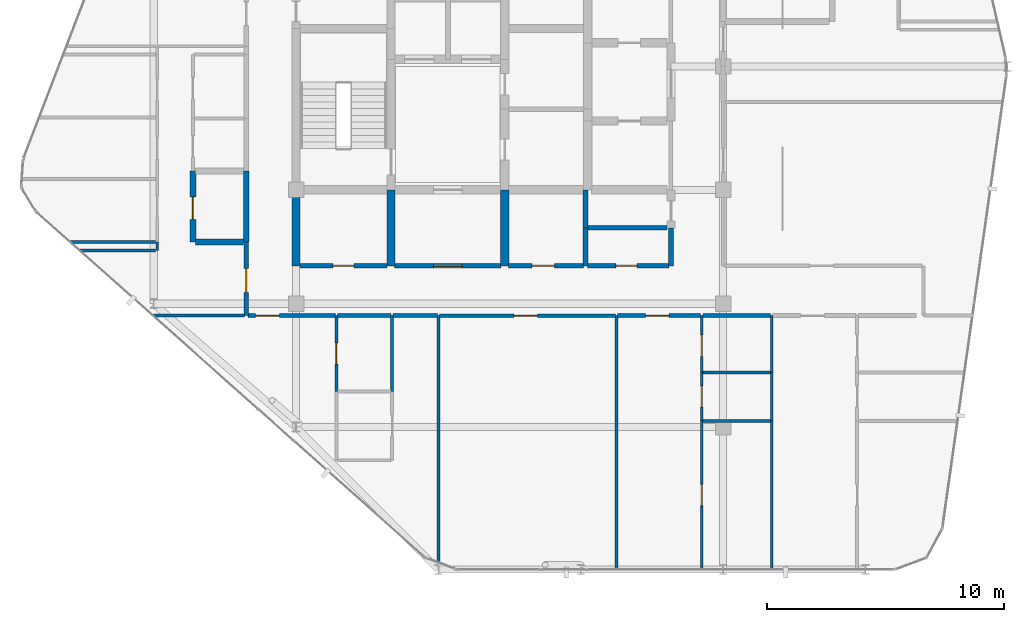
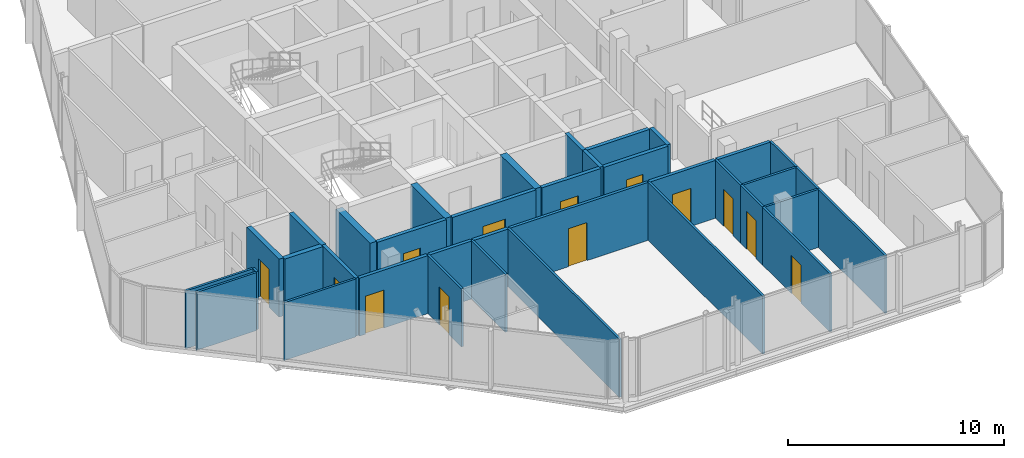
# One storey, part 22 of 27: 37 walls, 13 doors, 13 openings.
"""IFC4 building model written with IfcOpenShell, lengths in metres."""

from ifc_helpers import new_model, si_unit, direction, frame, frame_2d, origin, place, context, subcontext, project, spatial, rectangle, extrude, material, layer, layer_set, type_object, element, fill, save


model = new_model("IFC4")

# Units and contexts
model_context = context("Model", 3, precision=1e-05, world=origin(), true_north=direction((0.0, 1.0)))
body_context = subcontext(model_context, "Body", "Model", "MODEL_VIEW")
ifc_project = project(units=[si_unit("LENGTHUNIT", "METRE"), si_unit("AREAUNIT", "SQUARE_METRE"), si_unit("VOLUMEUNIT", "CUBIC_METRE"), si_unit("PLANEANGLEUNIT", "RADIAN"), si_unit("MASSUNIT", "GRAM", prefix="KILO")], contexts=[model_context])

# Site, building, storey
site_placement = place(None, origin())
site = spatial("IfcSite", under=ifc_project, at=site_placement, CompositionType="ELEMENT")
building_placement = place(site_placement, origin())
building = spatial("IfcBuilding", under=site, at=building_placement, Name="Keshet Zoharim Tower", CompositionType="ELEMENT")
storey_placement = place(building_placement, frame((0.0, 0.0, 311.0)))
storey = spatial("IfcBuildingStorey", under=building, at=storey_placement, Name="L78", CompositionType="ELEMENT", Elevation=311.0)

# Wall, opening, door
ifc_material_1 = material(Name="Gypsum Plasterboard", Category="gypsum")
ifc_layer_1 = layer(ifc_material_1, 0.14990234375)
ifc_layer_set_1 = layer_set([ifc_layer_1], Name="Gypsum Plasterboard")
wall_type_1 = type_object("IfcWallType", Name="WL-CLIN-150", PredefinedType="STANDARD", material=ifc_layer_set_1)
wall_1_placement = place(storey_placement, frame((21.044921875, 17.39990234375, 0.0), z_axis=(0.0, 0.0, 1.0), x_axis=(1.0, 0.0, 0.0)))
wall_1 = element("IfcWall", 1, at=wall_1_placement, inside=storey, type_object=wall_type_1, Name="L78 Interior Wall 093", PredefinedType="STANDARD", context=body_context, shape_type="SweptSolid", body=[
    extrude(rectangle(XDim=7.41015625, YDim=0.14990234375, at=frame_2d((3.705078125, 0.0))), origin(), (0.0, 0.0, 1.0), 3.280029296875),
])
opening_1_placement = place(wall_1_placement, frame((3.135009765625, 0.0, 0.0)))
opening_1 = element("IfcOpeningElement", 2, at=opening_1_placement, cuts=wall_1, Name="Opening D-F310", PredefinedType="OPENING", context=body_context, shape_type="SweptSolid", body=[
    extrude(rectangle(XDim=1.0, YDim=2.14990234375, at=frame_2d((0.5, 1.074951171875))), frame((0.0, 0.0849609375, 0.0), z_axis=(0.0, -1.0, 0.0), x_axis=(1.0, 0.0, 0.0)), (0.0, 0.0, 1.0), 0.169921875),
])
ifc_material_2 = material(Name="Hardwood Timber", Category="wood")
door_type_1 = type_object("IfcDoorType", Name="DR-FD30-100", OperationType="NOTDEFINED", PredefinedType="DOOR", material=ifc_material_2)
door_1_placement = place(opening_1_placement, origin())
door_1 = element("IfcDoor", 3, at=door_1_placement, inside=storey, type_object=door_type_1, Name="L78 Sky Residents Salon Door", OperationType="SINGLE_SWING_LEFT", OverallHeight=2.14990234375, OverallWidth=1.0, PredefinedType="DOOR", context=body_context, shape_type="SweptSolid", body=[
    extrude(rectangle(XDim=1.0, YDim=2.14990234375, at=frame_2d((0.5, 1.074951171875))), frame((0.0, 0.02490234375, 0.0), z_axis=(0.0, -1.0, 0.0), x_axis=(1.0, 0.0, 0.0)), (0.0, 0.0, 1.0), 0.050048828125),
])
fill(opening_1, door_1)

# Walls
ifc_material_3 = material(Name="Concrete C60/75", Category="concrete")
ifc_layer_2 = layer(ifc_material_3, 0.35009765625)
ifc_layer_set_2 = layer_set([ifc_layer_2], Name="Concrete C60/75")
wall_type_2 = type_object("IfcWallType", Name="WL-CORE-350", PredefinedType="SHEAR", material=ifc_layer_set_2)
for number, where, z_axis, x_axis, name in (
    (4, (15.0, 19.5, 0.0), (0.0, 0.0, 1.0), (0.0, 1.0, 0.0), "L78 Core Shear Wall 018"),
    (5, (19.0, 19.5, 0.0), (0.0, 0.0, 1.0), (0.0, 1.0, 0.0), "L78 Core Shear Wall 024"),
    (6, (23.800048828125, 19.5, 0.0), (0.0, 0.0, 1.0), (0.0, 1.0, 0.0), "L78 Core Shear Wall 037"),
):
    element("IfcWall", number, at=place(storey_placement, frame(where, z_axis=z_axis, x_axis=x_axis)), inside=storey, type_object=wall_type_2, Name=name, PredefinedType="SHEAR", context=body_context, shape_type="SweptSolid", body=[
        extrude(rectangle(XDim=3.199951171875, YDim=0.35009765625, at=frame_2d((1.60009765625, 0.0))), origin(), (0.0, 0.0, 1.0), 3.280029296875),
    ])

# Wall, opening, door
ifc_layer_3 = layer(ifc_material_1, 0.179931640625)
ifc_layer_set_3 = layer_set([ifc_layer_3], Name="Gypsum Plasterboard")
wall_type_3 = type_object("IfcWallType", Name="WL-CORR-180", PredefinedType="STANDARD", material=ifc_layer_set_3)
wall_2_placement = place(storey_placement, frame((12.89990234375, 17.39990234375, 0.0), z_axis=(0.0, 0.0, 1.0), x_axis=(0.0, 1.0, 0.0)))
wall_2 = element("IfcWall", 7, at=wall_2_placement, inside=storey, type_object=wall_type_3, Name="L78 Interior Wall 009", PredefinedType="STANDARD", context=body_context, shape_type="SweptSolid", body=[
    extrude(rectangle(XDim=3.10009765625, YDim=0.179931640625, at=frame_2d((1.550048828125, 0.0))), origin(), (0.0, 0.0, 1.0), 3.280029296875),
])
opening_2_placement = place(wall_2_placement, frame((0.97802734375, 0.0, 0.0)))
opening_2 = element("IfcOpeningElement", 8, at=opening_2_placement, cuts=wall_2, Name="Opening D-F310", PredefinedType="OPENING", context=body_context, shape_type="SweptSolid", body=[
    extrude(rectangle(XDim=1.0, YDim=2.14990234375, at=frame_2d((0.5, 1.074951171875))), frame((0.0, 0.10009765625, 0.0), z_axis=(0.0, -1.0, 0.0), x_axis=(1.0, 0.0, 0.0)), (0.0, 0.0, 1.0), 0.199951171875),
])
door_2_placement = place(opening_2_placement, origin())
door_2 = element("IfcDoor", 9, at=door_2_placement, inside=storey, type_object=door_type_1, Name="Apartment 7805 Entrance Door", OperationType="SINGLE_SWING_LEFT", OverallHeight=2.14990234375, OverallWidth=1.0, PredefinedType="DOOR", context=body_context, shape_type="SweptSolid", body=[
    extrude(rectangle(XDim=1.0, YDim=2.14990234375, at=frame_2d((0.5, 1.074951171875))), frame((0.0, 0.02490234375, 0.0), z_axis=(0.0, -1.0, 0.0), x_axis=(1.0, 0.0, 0.0)), (0.0, 0.0, 1.0), 0.050048828125),
])
fill(opening_2, door_2)

wall_3_placement = place(storey_placement, frame((12.97509765625, 17.39990234375, 0.0), z_axis=(0.0, 0.0, 1.0), x_axis=(1.0, 0.0, 0.0)))
wall_3 = element("IfcWall", 10, at=wall_3_placement, inside=storey, type_object=wall_type_3, Name="L78 Interior Wall 090", PredefinedType="STANDARD", context=body_context, shape_type="SweptSolid", body=[
    extrude(rectangle(XDim=3.679931640625, YDim=0.179931640625, at=frame_2d((1.83984375, 0.0))), origin(), (0.0, 0.0, 1.0), 3.280029296875),
])
opening_3_placement = place(wall_3_placement, frame((0.322021484375, 0.0, 0.0)))
opening_3 = element("IfcOpeningElement", 11, at=opening_3_placement, cuts=wall_3, Name="Opening D-F310", PredefinedType="OPENING", context=body_context, shape_type="SweptSolid", body=[
    extrude(rectangle(XDim=1.0, YDim=2.14990234375, at=frame_2d((0.5, 1.074951171875))), frame((0.0, 0.10009765625, 0.0), z_axis=(0.0, -1.0, 0.0), x_axis=(1.0, 0.0, 0.0)), (0.0, 0.0, 1.0), 0.199951171875),
])
door_3_placement = place(opening_3_placement, origin())
door_3 = element("IfcDoor", 12, at=door_3_placement, inside=storey, type_object=door_type_1, Name="Apartment 7801 Entrance Door", OperationType="SINGLE_SWING_RIGHT", OverallHeight=2.14990234375, OverallWidth=1.0, PredefinedType="DOOR", context=body_context, shape_type="SweptSolid", body=[
    extrude(rectangle(XDim=1.0, YDim=2.14990234375, at=frame_2d((0.5, 1.074951171875))), frame((0.0, 0.02490234375, 0.0), z_axis=(0.0, -1.0, 0.0), x_axis=(1.0, 0.0, 0.0)), (0.0, 0.0, 1.0), 0.050048828125),
])
fill(opening_3, door_3)

# Walls
wall_4_placement = place(storey_placement, frame((16.7451171875, 17.39990234375, 0.0), z_axis=(0.0, 0.0, 1.0), x_axis=(1.0, 0.0, 0.0)))
element("IfcWall", 13, at=wall_4_placement, inside=storey, type_object=wall_type_3, Name="L78 Interior Wall 091", PredefinedType="STANDARD", context=body_context, shape_type="SweptSolid", body=[
    extrude(rectangle(XDim=2.259765625, YDim=0.179931640625, at=frame_2d((1.1298828125, 0.0))), origin(), (0.0, 0.0, 1.0), 3.280029296875),
])
wall_5_placement = place(storey_placement, frame((19.094970703125, 17.39990234375, 0.0), z_axis=(0.0, 0.0, 1.0), x_axis=(1.0, 0.0, 0.0)))
element("IfcWall", 14, at=wall_5_placement, inside=storey, type_object=wall_type_3, Name="L78 Interior Wall 092", PredefinedType="STANDARD", context=body_context, shape_type="SweptSolid", body=[
    extrude(rectangle(XDim=1.860107421875, YDim=0.179931640625, at=frame_2d((0.93017578125, 0.0))), origin(), (0.0, 0.0, 1.0), 3.280029296875),
])

# Wall, opening, door
wall_6_placement = place(storey_placement, frame((28.544921875, 17.39990234375, 0.0), z_axis=(0.0, 0.0, 1.0), x_axis=(1.0, 0.0, 0.0)))
wall_6 = element("IfcWall", 15, at=wall_6_placement, inside=storey, type_object=wall_type_3, Name="L78 Interior Wall 094", PredefinedType="STANDARD", context=body_context, shape_type="SweptSolid", body=[
    extrude(rectangle(XDim=3.510009765625, YDim=0.179931640625, at=frame_2d((1.7548828125, 0.0))), origin(), (0.0, 0.0, 1.0), 3.280029296875),
])
opening_4_placement = place(wall_6_placement, frame((1.18505859375, 0.0, 0.0)))
opening_4 = element("IfcOpeningElement", 16, at=opening_4_placement, cuts=wall_6, Name="Opening D-F310", PredefinedType="OPENING", context=body_context, shape_type="SweptSolid", body=[
    extrude(rectangle(XDim=1.0, YDim=2.14990234375, at=frame_2d((0.5, 1.074951171875))), frame((0.0, 0.10009765625, 0.0), z_axis=(0.0, -1.0, 0.0), x_axis=(1.0, 0.0, 0.0)), (0.0, 0.0, 1.0), 0.199951171875),
])
door_4_placement = place(opening_4_placement, origin())
door_4 = element("IfcDoor", 17, at=door_4_placement, inside=storey, type_object=door_type_1, Name="Apartment 7802 Entrance Door", OperationType="SINGLE_SWING_RIGHT", OverallHeight=2.14990234375, OverallWidth=1.0, PredefinedType="DOOR", context=body_context, shape_type="SweptSolid", body=[
    extrude(rectangle(XDim=1.0, YDim=2.14990234375, at=frame_2d((0.5, 1.074951171875))), frame((0.0, 0.02490234375, 0.0), z_axis=(0.0, -1.0, 0.0), x_axis=(1.0, 0.0, 0.0)), (0.0, 0.0, 1.0), 0.050048828125),
])
fill(opening_4, door_4)

# Walls
wall_7_placement = place(storey_placement, frame((32.14501953125, 17.39990234375, 0.0), z_axis=(0.0, 0.0, 1.0), x_axis=(1.0, 0.0, 0.0)))
element("IfcWall", 18, at=wall_7_placement, inside=storey, type_object=wall_type_3, Name="L78 Interior Wall 095", PredefinedType="STANDARD", context=body_context, shape_type="SweptSolid", body=[
    extrude(rectangle(XDim=2.85009765625, YDim=0.179931640625, at=frame_2d((1.425048828125, 0.0))), origin(), (0.0, 0.0, 1.0), 3.280029296875),
])
ifc_material_4 = material(Name="Concrete C50/60", Category="concrete")
ifc_layer_4 = layer(ifc_material_4, 0.199951171875)
ifc_layer_set_4 = layer_set([ifc_layer_4], Name="Concrete C50/60")
wall_type_4 = type_object("IfcWallType", Name="WL-FIRE-200", PredefinedType="STANDARD", material=ifc_layer_set_4)
wall_8_placement = place(storey_placement, frame((27.199951171875, 19.5, 0.0), z_axis=(0.0, 0.0, 1.0), x_axis=(0.0, 1.0, 0.0)))
element("IfcWall", 19, at=wall_8_placement, inside=storey, type_object=wall_type_4, Name="L78 Interior Wall 044", PredefinedType="STANDARD", context=body_context, shape_type="SweptSolid", body=[
    extrude(rectangle(XDim=1.60009765625, YDim=0.199951171875, at=frame_2d((0.800048828125, 0.0))), origin(), (0.0, 0.0, 1.0), 3.280029296875),
])
wall_9_placement = place(storey_placement, frame((27.199951171875, 21.10009765625, 0.0), z_axis=(0.0, 0.0, 1.0), x_axis=(0.0, 1.0, 0.0)))
element("IfcWall", 20, at=wall_9_placement, inside=storey, type_object=wall_type_4, Name="L78 Interior Wall 045", PredefinedType="STANDARD", context=body_context, shape_type="SweptSolid", body=[
    extrude(rectangle(XDim=1.599853515625, YDim=0.199951171875, at=frame_2d((0.7998046875, 0.0))), origin(), (0.0, 0.0, 1.0), 3.280029296875),
])
wall_10_placement = place(storey_placement, frame((30.800048828125, 19.5, 0.0), z_axis=(0.0, 0.0, 1.0), x_axis=(0.0, 1.0, 0.0)))
element("IfcWall", 21, at=wall_10_placement, inside=storey, type_object=wall_type_4, Name="L78 Interior Wall 053", PredefinedType="STANDARD", context=body_context, shape_type="SweptSolid", body=[
    extrude(rectangle(XDim=1.60009765625, YDim=0.199951171875, at=frame_2d((0.800048828125, 0.0))), origin(), (0.0, 0.0, 1.0), 3.280029296875),
])

# Wall, opening, door
wall_11_placement = place(storey_placement, frame((15.159912109375, 19.5, 0.0), z_axis=(0.0, 0.0, 1.0), x_axis=(1.0, 0.0, 0.0)))
wall_11 = element("IfcWall", 22, at=wall_11_placement, inside=storey, type_object=wall_type_4, Name="L78 Interior Wall 099", PredefinedType="STANDARD", context=body_context, shape_type="SweptSolid", body=[
    extrude(rectangle(XDim=3.68017578125, YDim=0.199951171875, at=frame_2d((1.840087890625, 0.0))), origin(), (0.0, 0.0, 1.0), 3.280029296875),
])
opening_5_placement = place(wall_11_placement, frame((1.389892578125, 0.0, 0.0)))
opening_5 = element("IfcOpeningElement", 23, at=opening_5_placement, cuts=wall_11, Name="Opening D-F690", PredefinedType="OPENING", context=body_context, shape_type="SweptSolid", body=[
    extrude(rectangle(XDim=0.89990234375, YDim=2.14990234375, at=frame_2d((0.449951171875, 1.074951171875))), frame((0.0, 0.10986328125, 0.0), z_axis=(0.0, -1.0, 0.0), x_axis=(1.0, 0.0, 0.0)), (0.0, 0.0, 1.0), 0.219970703125),
])
door_type_2 = type_object("IfcDoorType", Name="DR-FD60-090", OperationType="NOTDEFINED", PredefinedType="DOOR", material=ifc_material_2)
door_5_placement = place(opening_5_placement, origin())
door_5 = element("IfcDoor", 24, at=door_5_placement, inside=storey, type_object=door_type_2, Name="L78 Refuse Store Door", OperationType="SINGLE_SWING_RIGHT", OverallHeight=2.14990234375, OverallWidth=0.89990234375, PredefinedType="DOOR", context=body_context, shape_type="SweptSolid", body=[
    extrude(rectangle(XDim=0.89990234375, YDim=2.14990234375, at=frame_2d((0.449951171875, 1.074951171875))), frame((0.0, 0.02490234375, 0.0), z_axis=(0.0, -1.0, 0.0), x_axis=(1.0, 0.0, 0.0)), (0.0, 0.0, 1.0), 0.050048828125),
])
fill(opening_5, door_5)

wall_12_placement = place(storey_placement, frame((19.159912109375, 19.5, 0.0), z_axis=(0.0, 0.0, 1.0), x_axis=(1.0, 0.0, 0.0)))
wall_12 = element("IfcWall", 25, at=wall_12_placement, inside=storey, type_object=wall_type_4, Name="L78 Interior Wall 100", PredefinedType="STANDARD", context=body_context, shape_type="SweptSolid", body=[
    extrude(rectangle(XDim=4.47998046875, YDim=0.199951171875, at=frame_2d((2.239990234375, 0.0))), origin(), (0.0, 0.0, 1.0), 3.280029296875),
])
opening_6_placement = place(wall_12_placement, frame((1.639892578125, 0.0, 0.0)))
opening_6 = element("IfcOpeningElement", 26, at=opening_6_placement, cuts=wall_12, Name="Opening D-F612", PredefinedType="OPENING", context=body_context, shape_type="SweptSolid", body=[
    extrude(rectangle(XDim=1.199951171875, YDim=2.199951171875, at=frame_2d((0.60009765625, 1.10009765625))), frame((0.0, 0.10986328125, 0.0), z_axis=(0.0, -1.0, 0.0), x_axis=(1.0, 0.0, 0.0)), (0.0, 0.0, 1.0), 0.219970703125),
])
door_type_3 = type_object("IfcDoorType", Name="DR-FD60-120", OperationType="NOTDEFINED", PredefinedType="DOOR", material=ifc_material_2)
door_6_placement = place(opening_6_placement, origin())
door_6 = element("IfcDoor", 27, at=door_6_placement, inside=storey, type_object=door_type_3, Name="L78 South Vestibule Corridor Door", OperationType="SINGLE_SWING_LEFT", OverallHeight=2.199951171875, OverallWidth=1.199951171875, PredefinedType="DOOR", context=body_context, shape_type="SweptSolid", body=[
    extrude(rectangle(XDim=1.199951171875, YDim=2.199951171875, at=frame_2d((0.60009765625, 1.10009765625))), frame((0.0, 0.02490234375, 0.0), z_axis=(0.0, -1.0, 0.0), x_axis=(1.0, 0.0, 0.0)), (0.0, 0.0, 1.0), 0.050048828125),
])
fill(opening_6, door_6)

wall_13_placement = place(storey_placement, frame((23.9599609375, 19.5, 0.0), z_axis=(0.0, 0.0, 1.0), x_axis=(1.0, 0.0, 0.0)))
wall_13 = element("IfcWall", 28, at=wall_13_placement, inside=storey, type_object=wall_type_4, Name="L78 Interior Wall 101", PredefinedType="STANDARD", context=body_context, shape_type="SweptSolid", body=[
    extrude(rectangle(XDim=3.155029296875, YDim=0.199951171875, at=frame_2d((1.57763671875, 0.0))), origin(), (0.0, 0.0, 1.0), 3.280029296875),
])
opening_7_placement = place(wall_13_placement, frame((0.990966796875, 0.0, 0.0)))
opening_7 = element("IfcOpeningElement", 29, at=opening_7_placement, cuts=wall_13, Name="Opening D-F695", PredefinedType="OPENING", context=body_context, shape_type="SweptSolid", body=[
    extrude(rectangle(XDim=0.949951171875, YDim=2.14990234375, at=frame_2d((0.47509765625, 1.074951171875))), frame((0.0, 0.10986328125, 0.0), z_axis=(0.0, -1.0, 0.0), x_axis=(1.0, 0.0, 0.0)), (0.0, 0.0, 1.0), 0.219970703125),
])
door_type_4 = type_object("IfcDoorType", Name="DR-FD60-095", OperationType="NOTDEFINED", PredefinedType="DOOR", material=ifc_material_2)
door_7_placement = place(opening_7_placement, origin())
door_7 = element("IfcDoor", 30, at=door_7_placement, inside=storey, type_object=door_type_4, Name="L78 Utility Room Door", OperationType="SINGLE_SWING_RIGHT", OverallHeight=2.14990234375, OverallWidth=0.949951171875, PredefinedType="DOOR", context=body_context, shape_type="SweptSolid", body=[
    extrude(rectangle(XDim=0.949951171875, YDim=2.14990234375, at=frame_2d((0.47509765625, 1.074951171875))), frame((0.0, 0.02490234375, 0.0), z_axis=(0.0, -1.0, 0.0), x_axis=(1.0, 0.0, 0.0)), (0.0, 0.0, 1.0), 0.050048828125),
])
fill(opening_7, door_7)

wall_14_placement = place(storey_placement, frame((27.284912109375, 19.5, 0.0), z_axis=(0.0, 0.0, 1.0), x_axis=(1.0, 0.0, 0.0)))
wall_14 = element("IfcWall", 31, at=wall_14_placement, inside=storey, type_object=wall_type_4, Name="L78 Interior Wall 102", PredefinedType="STANDARD", context=body_context, shape_type="SweptSolid", body=[
    extrude(rectangle(XDim=3.43017578125, YDim=0.199951171875, at=frame_2d((1.715087890625, 0.0))), origin(), (0.0, 0.0, 1.0), 3.280029296875),
])
opening_8_placement = place(wall_14_placement, frame((1.19189453125, 0.0, 0.0)))
opening_8 = element("IfcOpeningElement", 32, at=opening_8_placement, cuts=wall_14, Name="Opening D-F690", PredefinedType="OPENING", context=body_context, shape_type="SweptSolid", body=[
    extrude(rectangle(XDim=0.89990234375, YDim=2.14990234375, at=frame_2d((0.449951171875, 1.074951171875))), frame((0.0, 0.10986328125, 0.0), z_axis=(0.0, -1.0, 0.0), x_axis=(1.0, 0.0, 0.0)), (0.0, 0.0, 1.0), 0.219970703125),
])
door_8_placement = place(opening_8_placement, origin())
door_8 = element("IfcDoor", 33, at=door_8_placement, inside=storey, type_object=door_type_2, Name="L78 Valve Room Door", OperationType="SINGLE_SWING_LEFT", OverallHeight=2.14990234375, OverallWidth=0.89990234375, PredefinedType="DOOR", context=body_context, shape_type="SweptSolid", body=[
    extrude(rectangle(XDim=0.89990234375, YDim=2.14990234375, at=frame_2d((0.449951171875, 1.074951171875))), frame((0.0, 0.02490234375, 0.0), z_axis=(0.0, -1.0, 0.0), x_axis=(1.0, 0.0, 0.0)), (0.0, 0.0, 1.0), 0.050048828125),
])
fill(opening_8, door_8)

# Wall
wall_15_placement = place(storey_placement, frame((27.284912109375, 21.10009765625, 0.0), z_axis=(0.0, 0.0, 1.0), x_axis=(1.0, 0.0, 0.0)))
element("IfcWall", 34, at=wall_15_placement, inside=storey, type_object=wall_type_4, Name="L78 Interior Wall 107", PredefinedType="STANDARD", context=body_context, shape_type="SweptSolid", body=[
    extrude(rectangle(XDim=3.35498046875, YDim=0.199951171875, at=frame_2d((1.677490234375, 0.0))), origin(), (0.0, 0.0, 1.0), 3.280029296875),
])

# Wall, opening, door
ifc_layer_5 = layer(ifc_material_4, 0.25)
ifc_layer_set_5 = layer_set([ifc_layer_5], Name="Concrete C50/60")
wall_type_5 = type_object("IfcWallType", Name="WL-MAMAD-250", PredefinedType="STANDARD", material=ifc_layer_set_5)
wall_16_placement = place(storey_placement, frame((10.64990234375, 20.5, 0.0), z_axis=(0.0, 0.0, 1.0), x_axis=(0.0, 1.0, 0.0)))
wall_16 = element("IfcWall", 35, at=wall_16_placement, inside=storey, type_object=wall_type_5, Name="L78 Interior Wall 006", PredefinedType="STANDARD", context=body_context, shape_type="SweptSolid", body=[
    extrude(rectangle(XDim=3.001953125, YDim=0.25, at=frame_2d((1.5009765625, 0.0))), origin(), (0.0, 0.0, 1.0), 3.280029296875),
])
opening_9_placement = place(wall_16_placement, frame((0.9560546875, 0.0, 0.0)))
opening_9 = element("IfcOpeningElement", 36, at=opening_9_placement, cuts=wall_16, Name="Opening D-F695", PredefinedType="OPENING", context=body_context, shape_type="SweptSolid", body=[
    extrude(rectangle(XDim=0.949951171875, YDim=2.14990234375, at=frame_2d((0.47509765625, 1.074951171875))), frame((0.0, 0.135009765625, 0.0), z_axis=(0.0, -1.0, 0.0), x_axis=(1.0, 0.0, 0.0)), (0.0, 0.0, 1.0), 0.27001953125),
])
door_9_placement = place(opening_9_placement, origin())
door_9 = element("IfcDoor", 37, at=door_9_placement, inside=storey, type_object=door_type_4, Name="Apartment 7805 Study and Shelter Room Door", OperationType="SINGLE_SWING_RIGHT", OverallHeight=2.14990234375, OverallWidth=0.949951171875, PredefinedType="DOOR", context=body_context, shape_type="SweptSolid", body=[
    extrude(rectangle(XDim=0.949951171875, YDim=2.14990234375, at=frame_2d((0.47509765625, 1.074951171875))), frame((0.0, 0.02490234375, 0.0), z_axis=(0.0, -1.0, 0.0), x_axis=(1.0, 0.0, 0.0)), (0.0, 0.0, 1.0), 0.050048828125),
])
fill(opening_9, door_9)

# Walls
wall_17_placement = place(storey_placement, frame((12.89990234375, 20.5, 0.0), z_axis=(0.0, 0.0, 1.0), x_axis=(0.0, 1.0, 0.0)))
element("IfcWall", 38, at=wall_17_placement, inside=storey, type_object=wall_type_5, Name="L78 Interior Wall 010", PredefinedType="STANDARD", context=body_context, shape_type="SweptSolid", body=[
    extrude(rectangle(XDim=3.001953125, YDim=0.25, at=frame_2d((1.5009765625, 0.0))), origin(), (0.0, 0.0, 1.0), 3.280029296875),
])
wall_18_placement = place(storey_placement, frame((10.760009765625, 20.5, 0.0), z_axis=(0.0, 0.0, 1.0), x_axis=(1.0, 0.0, 0.0)))
element("IfcWall", 39, at=wall_18_placement, inside=storey, type_object=wall_type_5, Name="L78 Interior Wall 106", PredefinedType="STANDARD", context=body_context, shape_type="SweptSolid", body=[
    extrude(rectangle(XDim=2.030029296875, YDim=0.25, at=frame_2d((1.01513671875, 0.0))), origin(), (0.0, 0.0, 1.0), 3.280029296875),
])
ifc_layer_6 = layer(ifc_material_1, 0.1201171875)
ifc_layer_set_6 = layer_set([ifc_layer_6], Name="Gypsum Plasterboard")
wall_type_6 = type_object("IfcWallType", Name="WL-PART-120", PredefinedType="PARTITIONING", material=ifc_layer_set_6)
wall_19_placement = place(storey_placement, frame((9.14990234375, 20.14990234375, 0.0), z_axis=(0.0, 0.0, 1.0), x_axis=(0.0, 1.0, 0.0)))
element("IfcWall", 40, at=wall_19_placement, inside=storey, type_object=wall_type_6, Name="L78 Interior Wall 002", PredefinedType="PARTITIONING", context=body_context, shape_type="SweptSolid", body=[
    extrude(rectangle(XDim=0.35009765625, YDim=0.1201171875, at=frame_2d((0.175048828125, 0.0))), origin(), (0.0, 0.0, 1.0), 3.280029296875),
])

# Wall, opening, door
wall_20_placement = place(storey_placement, frame((16.699951171875, 14.199951171875, 0.0), z_axis=(0.0, 0.0, 1.0), x_axis=(0.0, 1.0, 0.0)))
wall_20 = element("IfcWall", 41, at=wall_20_placement, inside=storey, type_object=wall_type_6, Name="L78 Interior Wall 023", PredefinedType="PARTITIONING", context=body_context, shape_type="SweptSolid", body=[
    extrude(rectangle(XDim=3.199951171875, YDim=0.1201171875, at=frame_2d((1.60009765625, 0.0))), origin(), (0.0, 0.0, 1.0), 3.280029296875),
])
opening_10_placement = place(wall_20_placement, frame((1.14990234375, 0.0, 0.0)))
opening_10 = element("IfcOpeningElement", 42, at=opening_10_placement, cuts=wall_20, Name="Opening D-IN90", PredefinedType="OPENING", context=body_context, shape_type="SweptSolid", body=[
    extrude(rectangle(XDim=0.89990234375, YDim=2.14990234375, at=frame_2d((0.449951171875, 1.074951171875))), frame((0.0, 0.070068359375, 0.0), z_axis=(0.0, -1.0, 0.0), x_axis=(1.0, 0.0, 0.0)), (0.0, 0.0, 1.0), 0.14013671875),
])
door_type_5 = type_object("IfcDoorType", Name="DR-INT-090", OperationType="NOTDEFINED", PredefinedType="DOOR", material=ifc_material_2)
door_10_placement = place(opening_10_placement, origin())
door_10 = element("IfcDoor", 43, at=door_10_placement, inside=storey, type_object=door_type_5, Name="Apartment 7801 Kitchenette Door", OperationType="SINGLE_SWING_RIGHT", OverallHeight=2.14990234375, OverallWidth=0.89990234375, PredefinedType="DOOR", context=body_context, shape_type="SweptSolid", body=[
    extrude(rectangle(XDim=0.89990234375, YDim=2.14990234375, at=frame_2d((0.449951171875, 1.074951171875))), frame((0.0, 0.02490234375, 0.0), z_axis=(0.0, -1.0, 0.0), x_axis=(1.0, 0.0, 0.0)), (0.0, 0.0, 1.0), 0.050048828125),
])
fill(opening_10, door_10)

# Walls
wall_21_placement = place(storey_placement, frame((19.050048828125, 14.199951171875, 0.0), z_axis=(0.0, 0.0, 1.0), x_axis=(0.0, 1.0, 0.0)))
element("IfcWall", 44, at=wall_21_placement, inside=storey, type_object=wall_type_6, Name="L78 Interior Wall 030", PredefinedType="PARTITIONING", context=body_context, shape_type="SweptSolid", body=[
    extrude(rectangle(XDim=3.199951171875, YDim=0.1201171875, at=frame_2d((1.60009765625, 0.0))), origin(), (0.0, 0.0, 1.0), 3.280029296875),
])
wall_22_placement = place(storey_placement, frame((21.0, 6.9990234375, 0.0), z_axis=(0.0, 0.0, 1.0), x_axis=(0.0, 1.0, 0.0)))
element("IfcWall", 45, at=wall_22_placement, inside=storey, type_object=wall_type_6, Name="L78 Interior Wall 031", PredefinedType="PARTITIONING", context=body_context, shape_type="SweptSolid", body=[
    extrude(rectangle(XDim=10.40087890625, YDim=0.1201171875, at=frame_2d((5.200439453125, 0.0))), origin(), (0.0, 0.0, 1.0), 3.280029296875),
])
wall_23_placement = place(storey_placement, frame((28.5, 6.7099609375, 0.0), z_axis=(0.0, 0.0, 1.0), x_axis=(0.0, 1.0, 0.0)))
element("IfcWall", 46, at=wall_23_placement, inside=storey, type_object=wall_type_6, Name="L78 Interior Wall 051", PredefinedType="PARTITIONING", context=body_context, shape_type="SweptSolid", body=[
    extrude(rectangle(XDim=10.68994140625, YDim=0.1201171875, at=frame_2d((5.344970703125, 0.0))), origin(), (0.0, 0.0, 1.0), 3.280029296875),
])

# Wall, opening, door
wall_24_placement = place(storey_placement, frame((32.10009765625, 6.7099609375, 0.0), z_axis=(0.0, 0.0, 1.0), x_axis=(0.0, 1.0, 0.0)))
wall_24 = element("IfcWall", 47, at=wall_24_placement, inside=storey, type_object=wall_type_6, Name="L78 Interior Wall 060", PredefinedType="PARTITIONING", context=body_context, shape_type="SweptSolid", body=[
    extrude(rectangle(XDim=6.260009765625, YDim=0.1201171875, at=frame_2d((3.1298828125, 0.0))), origin(), (0.0, 0.0, 1.0), 3.280029296875),
])
opening_11_placement = place(wall_24_placement, frame((2.679931640625, 0.0, 0.0)))
opening_11 = element("IfcOpeningElement", 48, at=opening_11_placement, cuts=wall_24, Name="Opening D-IN90", PredefinedType="OPENING", context=body_context, shape_type="SweptSolid", body=[
    extrude(rectangle(XDim=0.89990234375, YDim=2.14990234375, at=frame_2d((0.449951171875, 1.074951171875))), frame((0.0, 0.070068359375, 0.0), z_axis=(0.0, -1.0, 0.0), x_axis=(1.0, 0.0, 0.0)), (0.0, 0.0, 1.0), 0.14013671875),
])
door_11_placement = place(opening_11_placement, origin())
door_11 = element("IfcDoor", 49, at=door_11_placement, inside=storey, type_object=door_type_5, Name="Apartment 7802 Bedroom 1 Door", OperationType="SINGLE_SWING_RIGHT", OverallHeight=2.14990234375, OverallWidth=0.89990234375, PredefinedType="DOOR", context=body_context, shape_type="SweptSolid", body=[
    extrude(rectangle(XDim=0.89990234375, YDim=2.14990234375, at=frame_2d((0.449951171875, 1.074951171875))), frame((0.0, 0.02490234375, 0.0), z_axis=(0.0, -1.0, 0.0), x_axis=(1.0, 0.0, 0.0)), (0.0, 0.0, 1.0), 0.050048828125),
])
fill(opening_11, door_11)

wall_25_placement = place(storey_placement, frame((32.10009765625, 12.969970703125, 0.0), z_axis=(0.0, 0.0, 1.0), x_axis=(0.0, 1.0, 0.0)))
wall_25 = element("IfcWall", 50, at=wall_25_placement, inside=storey, type_object=wall_type_6, Name="L78 Interior Wall 061", PredefinedType="PARTITIONING", context=body_context, shape_type="SweptSolid", body=[
    extrude(rectangle(XDim=2.0380859375, YDim=0.1201171875, at=frame_2d((1.01904296875, 0.0))), origin(), (0.0, 0.0, 1.0), 3.280029296875),
])
opening_12_placement = place(wall_25_placement, frame((0.569091796875, 0.0, 0.0)))
opening_12 = element("IfcOpeningElement", 51, at=opening_12_placement, cuts=wall_25, Name="Opening D-IN90", PredefinedType="OPENING", context=body_context, shape_type="SweptSolid", body=[
    extrude(rectangle(XDim=0.89990234375, YDim=2.14990234375, at=frame_2d((0.449951171875, 1.074951171875))), frame((0.0, 0.070068359375, 0.0), z_axis=(0.0, -1.0, 0.0), x_axis=(1.0, 0.0, 0.0)), (0.0, 0.0, 1.0), 0.14013671875),
])
door_12_placement = place(opening_12_placement, origin())
door_12 = element("IfcDoor", 52, at=door_12_placement, inside=storey, type_object=door_type_5, Name="Apartment 7802 Kitchen Door", OperationType="SINGLE_SWING_LEFT", OverallHeight=2.14990234375, OverallWidth=0.89990234375, PredefinedType="DOOR", context=body_context, shape_type="SweptSolid", body=[
    extrude(rectangle(XDim=0.89990234375, YDim=2.14990234375, at=frame_2d((0.449951171875, 1.074951171875))), frame((0.0, 0.02490234375, 0.0), z_axis=(0.0, -1.0, 0.0), x_axis=(1.0, 0.0, 0.0)), (0.0, 0.0, 1.0), 0.050048828125),
])
fill(opening_12, door_12)

# Walls
wall_26_placement = place(storey_placement, frame((35.050048828125, 6.7099609375, 0.0), z_axis=(0.0, 0.0, 1.0), x_axis=(0.0, 1.0, 0.0)))
element("IfcWall", 53, at=wall_26_placement, inside=storey, type_object=wall_type_6, Name="L78 Interior Wall 070", PredefinedType="PARTITIONING", context=body_context, shape_type="SweptSolid", body=[
    extrude(rectangle(XDim=6.260009765625, YDim=0.1201171875, at=frame_2d((3.1298828125, 0.0))), origin(), (0.0, 0.0, 1.0), 3.280029296875),
])
wall_27_placement = place(storey_placement, frame((35.050048828125, 12.969970703125, 0.0), z_axis=(0.0, 0.0, 1.0), x_axis=(0.0, 1.0, 0.0)))
element("IfcWall", 54, at=wall_27_placement, inside=storey, type_object=wall_type_6, Name="L78 Interior Wall 071", PredefinedType="PARTITIONING", context=body_context, shape_type="SweptSolid", body=[
    extrude(rectangle(XDim=2.0380859375, YDim=0.1201171875, at=frame_2d((1.01904296875, 0.0))), origin(), (0.0, 0.0, 1.0), 3.280029296875),
])
wall_28_placement = place(storey_placement, frame((32.14501953125, 12.949951171875, 0.0), z_axis=(0.0, 0.0, 1.0), x_axis=(1.0, 0.0, 0.0)))
element("IfcWall", 55, at=wall_28_placement, inside=storey, type_object=wall_type_6, Name="L78 Interior Wall 084", PredefinedType="PARTITIONING", context=body_context, shape_type="SweptSolid", body=[
    extrude(rectangle(XDim=2.85009765625, YDim=0.1201171875, at=frame_2d((1.425048828125, 0.0))), origin(), (0.0, 0.0, 1.0), 3.280029296875),
])
wall_29_placement = place(storey_placement, frame((8.972900390625, 17.39990234375, 0.0), z_axis=(0.0, 0.0, 1.0), x_axis=(1.0, 0.0, 0.0)))
element("IfcWall", 56, at=wall_29_placement, inside=storey, type_object=wall_type_6, Name="L78 Interior Wall 089", PredefinedType="PARTITIONING", context=body_context, shape_type="SweptSolid", body=[
    extrude(rectangle(XDim=3.85205078125, YDim=0.1201171875, at=frame_2d((1.926025390625, 0.0))), origin(), (0.0, 0.0, 1.0), 3.280029296875),
])
wall_30_placement = place(storey_placement, frame((5.87890625, 20.14990234375, 0.0), z_axis=(0.0, 0.0, 1.0), x_axis=(1.0, 0.0, 0.0)))
element("IfcWall", 57, at=wall_30_placement, inside=storey, type_object=wall_type_6, Name="L78 Interior Wall 104", PredefinedType="PARTITIONING", context=body_context, shape_type="SweptSolid", body=[
    extrude(rectangle(XDim=3.2060546875, YDim=0.1201171875, at=frame_2d((1.60302734375, 0.0))), origin(), (0.0, 0.0, 1.0), 3.280029296875),
])
wall_31_placement = place(storey_placement, frame((5.485107421875, 20.5, 0.0), z_axis=(0.0, 0.0, 1.0), x_axis=(1.0, 0.0, 0.0)))
element("IfcWall", 58, at=wall_31_placement, inside=storey, type_object=wall_type_6, Name="L78 Interior Wall 105", PredefinedType="PARTITIONING", context=body_context, shape_type="SweptSolid", body=[
    extrude(rectangle(XDim=3.599853515625, YDim=0.1201171875, at=frame_2d((1.7998046875, 0.0))), origin(), (0.0, 0.0, 1.0), 3.280029296875),
])

# Wall, opening, door
ifc_layer_7 = layer(ifc_material_1, 0.1201171875)
ifc_layer_set_7 = layer_set([ifc_layer_7], Name="Gypsum Plasterboard")
wall_type_7 = type_object("IfcWallType", Name="WL-WET-120", PredefinedType="PARTITIONING", material=ifc_layer_set_7)
wall_32_placement = place(storey_placement, frame((32.10009765625, 15.008056640625, 0.0), z_axis=(0.0, 0.0, 1.0), x_axis=(0.0, 1.0, 0.0)))
wall_32 = element("IfcWall", 59, at=wall_32_placement, inside=storey, type_object=wall_type_7, Name="L78 Interior Wall 062", PredefinedType="PARTITIONING", context=body_context, shape_type="SweptSolid", body=[
    extrude(rectangle(XDim=2.391845703125, YDim=0.1201171875, at=frame_2d((1.19580078125, 0.0))), origin(), (0.0, 0.0, 1.0), 3.280029296875),
])
opening_13_placement = place(wall_32_placement, frame((0.675048828125, 0.0, 0.0)))
opening_13 = element("IfcOpeningElement", 60, at=opening_13_placement, cuts=wall_32, Name="Opening D-WT90", PredefinedType="OPENING", context=body_context, shape_type="SweptSolid", body=[
    extrude(rectangle(XDim=0.89990234375, YDim=2.10009765625, at=frame_2d((0.449951171875, 1.050048828125))), frame((0.0, 0.070068359375, 0.0), z_axis=(0.0, -1.0, 0.0), x_axis=(1.0, 0.0, 0.0)), (0.0, 0.0, 1.0), 0.14013671875),
])
door_type_6 = type_object("IfcDoorType", Name="DR-WET-090", OperationType="NOTDEFINED", PredefinedType="DOOR", material=ifc_material_2)
door_13_placement = place(opening_13_placement, origin())
door_13 = element("IfcDoor", 61, at=door_13_placement, inside=storey, type_object=door_type_6, Name="Apartment 7802 Bathroom Door", OperationType="SINGLE_SWING_RIGHT", OverallHeight=2.10009765625, OverallWidth=0.89990234375, PredefinedType="DOOR", context=body_context, shape_type="SweptSolid", body=[
    extrude(rectangle(XDim=0.89990234375, YDim=2.10009765625, at=frame_2d((0.449951171875, 1.050048828125))), frame((0.0, 0.02490234375, 0.0), z_axis=(0.0, -1.0, 0.0), x_axis=(1.0, 0.0, 0.0)), (0.0, 0.0, 1.0), 0.050048828125),
])
fill(opening_13, door_13)

# Walls
wall_33_placement = place(storey_placement, frame((35.050048828125, 15.008056640625, 0.0), z_axis=(0.0, 0.0, 1.0), x_axis=(0.0, 1.0, 0.0)))
element("IfcWall", 62, at=wall_33_placement, inside=storey, type_object=wall_type_7, Name="L78 Interior Wall 072", PredefinedType="PARTITIONING", context=body_context, shape_type="SweptSolid", body=[
    extrude(rectangle(XDim=2.391845703125, YDim=0.1201171875, at=frame_2d((1.19580078125, 0.0))), origin(), (0.0, 0.0, 1.0), 3.280029296875),
])
wall_34_placement = place(storey_placement, frame((32.14501953125, 15.0, 0.0), z_axis=(0.0, 0.0, 1.0), x_axis=(1.0, 0.0, 0.0)))
element("IfcWall", 63, at=wall_34_placement, inside=storey, type_object=wall_type_7, Name="L78 Interior Wall 087", PredefinedType="PARTITIONING", context=body_context, shape_type="SweptSolid", body=[
    extrude(rectangle(XDim=2.85009765625, YDim=0.1201171875, at=frame_2d((1.425048828125, 0.0))), origin(), (0.0, 0.0, 1.0), 3.280029296875),
])

save(model, "model.ifc")
